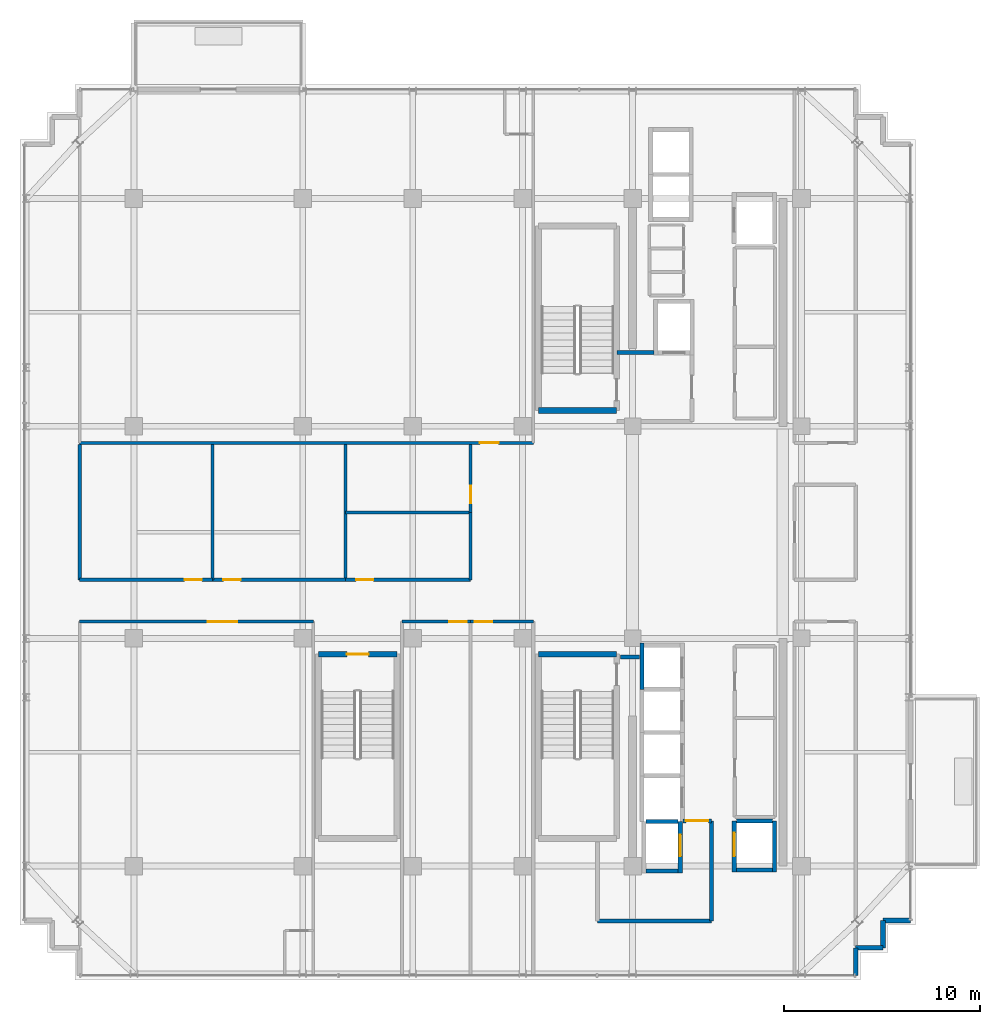
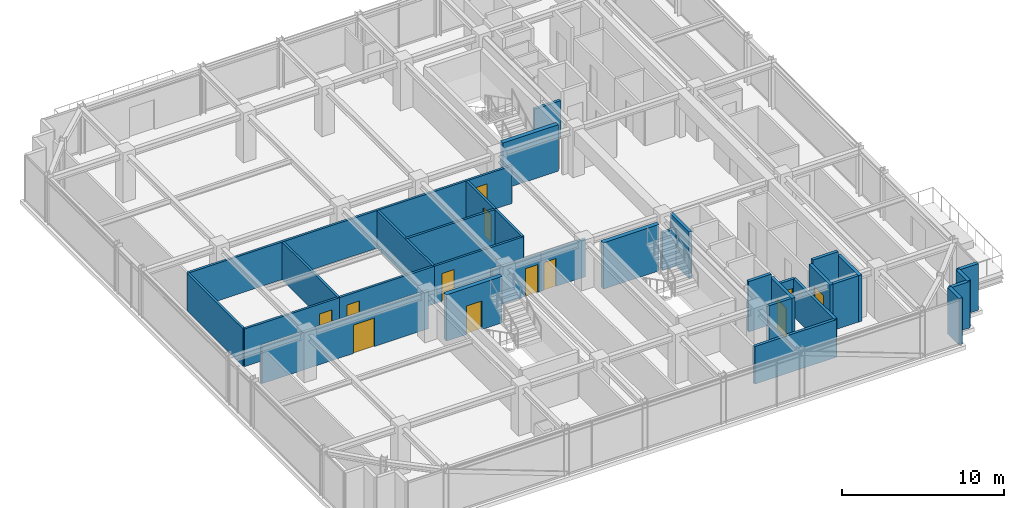
# One storey, part 24 of 31: 33 walls, 12 doors, 12 openings.
"""IFC4 building model written with IfcOpenShell, lengths in metres."""

from ifc_helpers import new_model, si_unit, direction, frame, frame_2d, origin, place, context, subcontext, project, spatial, rectangle, extrude, source, transform, mapped, material, layer, layer_set, type_object, element, fill, save


model = new_model("IFC4")

# Units and contexts
model_context = context("Model", 3, precision=1e-05, world=origin(), true_north=direction((0.0, 1.0)))
body_context = subcontext(model_context, "Body", "Model", "MODEL_VIEW")
ifc_project = project(units=[si_unit("LENGTHUNIT", "METRE"), si_unit("AREAUNIT", "SQUARE_METRE"), si_unit("VOLUMEUNIT", "CUBIC_METRE"), si_unit("PLANEANGLEUNIT", "RADIAN"), si_unit("MASSUNIT", "GRAM", prefix="KILO")], contexts=[model_context])

# Site, building, storey
site_placement = place(None, origin())
site = spatial("IfcSite", under=ifc_project, at=site_placement, CompositionType="ELEMENT")
building_placement = place(site_placement, origin())
building = spatial("IfcBuilding", under=site, at=building_placement, Name="Nahalor Promenade Grand Hotel", CompositionType="ELEMENT")
storey_placement = place(building_placement, frame((0.0, 0.0, 327.14990234375)))
storey = spatial("IfcBuildingStorey", under=building, at=storey_placement, Name="L84", CompositionType="ELEMENT", Elevation=327.14990234375)

# Walls
ifc_material_1 = material(Name="Concrete B-50 (C40/50)", Category="concrete")
ifc_layer_1 = layer(ifc_material_1, 0.300048828125)
ifc_layer_set_1 = layer_set([ifc_layer_1], Name="Concrete B-50 (C40/50)")
wall_type_1 = type_object("IfcWallType", Name="Wall-ShaftShear-300", PredefinedType="SHEAR", material=ifc_layer_set_1)
shared_shape_1 = source(origin(), body_context, "Body", "SweptSolid", [
    extrude(rectangle(XDim=3.97998046875, YDim=0.300048828125, at=frame_2d((1.989990234375, 0.0))), origin(), (0.0, 0.0, 1.0), 3.5),
])
for number, where, z_axis, x_axis, name in (
    (1, (3.610107421875, 6.2099609375, 0.0), (0.0, 0.0, 1.0), (1.0, 0.0, 0.0), "L84 Exit Stair ST1 Shaft Wall S"),
    (2, (3.610107421875, -6.2099609375, 0.0), (0.0, 0.0, 1.0), (1.0, 0.0, 0.0), "L84 Exit Stair ST2 Shaft Wall N"),
):
    element("IfcWall", number, at=place(storey_placement, frame(where, z_axis=z_axis, x_axis=x_axis)), inside=storey, type_object=wall_type_1, Name=name, PredefinedType="SHEAR", context=body_context, shape_type="MappedRepresentation", body=[
        mapped(shared_shape_1, transform((0.0, 0.0, 0.0), scale=1.0)),
    ])

# Wall, opening, door
wall_1_placement = place(storey_placement, frame((-7.590087890625, -6.2099609375, 0.0), z_axis=(0.0, 0.0, 1.0), x_axis=(1.0, 0.0, 0.0)))
wall_1 = element("IfcWall", 3, at=wall_1_placement, inside=storey, type_object=wall_type_1, Name="L84 Exit Stair ST3 Shaft Wall N", PredefinedType="SHEAR", context=body_context, shape_type="MappedRepresentation", body=[
    mapped(shared_shape_1, transform((0.0, 0.0, 0.0), scale=1.0)),
])
opening_1_placement = place(wall_1_placement, frame((1.43994140625, 0.0, 0.0)))
opening_1 = element("IfcOpeningElement", 4, at=opening_1_placement, cuts=wall_1, Name="Opening D-ST1", PredefinedType="OPENING", context=body_context, shape_type="SweptSolid", body=[
    extrude(rectangle(XDim=1.10009765625, YDim=2.14990234375, at=frame_2d((0.550048828125, 1.074951171875))), frame((0.0, 0.159912109375, 0.0), z_axis=(0.0, -1.0, 0.0), x_axis=(1.0, 0.0, 0.0)), (0.0, 0.0, 1.0), 0.320068359375),
])
ifc_material_2 = material(Name="Steel S355JR", Category="steel")
door_type_1 = type_object("IfcDoorType", Name="Door-StairFire-1100", OperationType="NOTDEFINED", PredefinedType="DOOR", material=ifc_material_2)
shared_shape_2 = source(origin(), body_context, "Body", "SweptSolid", [
    extrude(rectangle(XDim=1.10009765625, YDim=2.14990234375, at=frame_2d((0.550048828125, 1.074951171875))), frame((0.0, 0.02490234375, 0.0), z_axis=(0.0, -1.0, 0.0), x_axis=(1.0, 0.0, 0.0)), (0.0, 0.0, 1.0), 0.050048828125),
])
door_1_placement = place(opening_1_placement, frame((1.10009765625, 0.0, 0.0), z_axis=(0.0, 0.0, 1.0), x_axis=(-1.0, 0.0, 0.0)))
door_1 = element("IfcDoor", 5, at=door_1_placement, inside=storey, type_object=door_type_1, Name="DR-STAIR-ST3-L84", OperationType="SINGLE_SWING_LEFT", OverallHeight=2.14990234375, OverallWidth=1.10009765625, PredefinedType="DOOR", context=body_context, shape_type="MappedRepresentation", body=[
    mapped(shared_shape_2, transform((0.0, 0.0, 0.0), scale=1.0)),
])
fill(opening_1, door_1)

# Walls
ifc_layer_2 = layer(ifc_material_1, 0.219970703125)
ifc_layer_set_2 = layer_set([ifc_layer_2], Name="Concrete B-50 (C40/50)")
wall_type_2 = type_object("IfcWallType", Name="Wall-LiftShaft-220", PredefinedType="SHEAR", material=ifc_layer_set_2)
shared_shape_3 = source(origin(), body_context, "Body", "SweptSolid", [
    extrude(rectangle(XDim=2.360107421875, YDim=0.219970703125, at=frame_2d((1.18017578125, 0.0))), origin(), (0.0, 0.0, 1.0), 3.5),
])
wall_2_placement = place(storey_placement, frame((8.8798828125, -8.0, 0.0), z_axis=(0.0, 0.0, 1.0), x_axis=(0.0, 1.0, 0.0)))
element("IfcWall", 6, at=wall_2_placement, inside=storey, type_object=wall_type_2, Name="L84 Lift PL9 Hoistway Wall W", PredefinedType="SHEAR", context=body_context, shape_type="MappedRepresentation", body=[
    mapped(shared_shape_3, transform((0.0, 0.0, 0.0), scale=1.0)),
])
shared_shape_4 = source(origin(), body_context, "Body", "SweptSolid", [
    extrude(rectangle(XDim=1.820068359375, YDim=0.219970703125, at=frame_2d((0.91015625, 0.0))), origin(), (0.0, 0.0, 1.0), 3.5),
])
wall_3_placement = place(storey_placement, frame((13.68994140625, -17.199951171875, 0.0), z_axis=(0.0, 0.0, 1.0), x_axis=(1.0, 0.0, 0.0)))
element("IfcWall", 7, at=wall_3_placement, inside=storey, type_object=wall_type_2, Name="L84 Lift SV2 Hoistway Wall S", PredefinedType="SHEAR", context=body_context, shape_type="MappedRepresentation", body=[
    mapped(shared_shape_4, transform((0.0, 0.0, 0.0), scale=1.0)),
])
shared_shape_5 = source(origin(), body_context, "Body", "SweptSolid", [
    extrude(rectangle(XDim=1.820068359375, YDim=0.219970703125, at=frame_2d((0.91015625, 0.0))), origin(), (0.0, 0.0, 1.0), 3.800048828125),
])
wall_4_placement = place(storey_placement, frame((13.68994140625, -14.699951171875, 0.0), z_axis=(0.0, 0.0, 1.0), x_axis=(1.0, 0.0, 0.0)))
element("IfcWall", 8, at=wall_4_placement, inside=storey, type_object=wall_type_2, Name="L84 Lift SV2 Hoistway Wall N", PredefinedType="SHEAR", context=body_context, shape_type="MappedRepresentation", body=[
    mapped(shared_shape_5, transform((0.0, 0.0, 0.0), scale=1.0)),
])

# Wall, opening, door
shared_shape_6 = source(origin(), body_context, "Body", "SweptSolid", [
    extrude(rectangle(XDim=2.635009765625, YDim=0.219970703125, at=frame_2d((1.3173828125, 0.0))), origin(), (0.0, 0.0, 1.0), 3.5),
])
wall_5_placement = place(storey_placement, frame((10.820068359375, -17.360107421875, 0.0), z_axis=(0.0, 0.0, 1.0), x_axis=(0.0, 1.0, 0.0)))
wall_5 = element("IfcWall", 9, at=wall_5_placement, inside=storey, type_object=wall_type_2, Name="L84 Lift FL2 Hoistway Wall E", PredefinedType="SHEAR", context=body_context, shape_type="MappedRepresentation", body=[
    mapped(shared_shape_6, transform((0.0, 0.0, 0.0), scale=1.0)),
])
opening_2_placement = place(wall_5_placement, frame((0.860107421875, 0.0, 0.0)))
opening_2 = element("IfcOpeningElement", 10, at=opening_2_placement, cuts=wall_5, Name="Opening LD-02", PredefinedType="OPENING", context=body_context, shape_type="SweptSolid", body=[
    extrude(rectangle(XDim=1.10009765625, YDim=2.199951171875, at=frame_2d((0.550048828125, 1.10009765625))), frame((0.0, 0.119873046875, 0.0), z_axis=(0.0, -1.0, 0.0), x_axis=(1.0, 0.0, 0.0)), (0.0, 0.0, 1.0), 0.239990234375),
])
door_type_2 = type_object("IfcDoorType", Name="Door-LiftFF-1100", OperationType="DOUBLE_DOOR_SLIDING", PredefinedType="DOOR", material=ifc_material_2)
shared_shape_7 = source(origin(), body_context, "Body", "SweptSolid", [
    extrude(rectangle(XDim=1.10009765625, YDim=2.199951171875, at=frame_2d((0.550048828125, 1.10009765625))), frame((0.0, 0.02490234375, 0.0), z_axis=(0.0, -1.0, 0.0), x_axis=(1.0, 0.0, 0.0)), (0.0, 0.0, 1.0), 0.050048828125),
])
door_2_placement = place(opening_2_placement, frame((1.10009765625, 0.0, 0.0), z_axis=(0.0, 0.0, 1.0), x_axis=(-1.0, 0.0, 0.0)))
door_2 = element("IfcDoor", 11, at=door_2_placement, inside=storey, type_object=door_type_2, Name="DR-LIFT-FL2-L84", OperationType="DOUBLE_DOOR_SLIDING", OverallHeight=2.199951171875, OverallWidth=1.10009765625, PredefinedType="DOOR", context=body_context, shape_type="MappedRepresentation", body=[
    mapped(shared_shape_7, transform((0.0, 0.0, 0.0), scale=1.0)),
])
fill(opening_2, door_2)

# Walls
shared_shape_8 = source(origin(), body_context, "Body", "SweptSolid", [
    extrude(rectangle(XDim=1.619873046875, YDim=0.219970703125, at=frame_2d((0.81005859375, 0.0))), origin(), (0.0, 0.0, 1.0), 3.5),
])
wall_6_placement = place(storey_placement, frame((9.090087890625, -17.25, 0.0), z_axis=(0.0, 0.0, 1.0), x_axis=(1.0, 0.0, 0.0)))
element("IfcWall", 12, at=wall_6_placement, inside=storey, type_object=wall_type_2, Name="L84 Lift FL2 Hoistway Wall S", PredefinedType="SHEAR", context=body_context, shape_type="MappedRepresentation", body=[
    mapped(shared_shape_8, transform((0.0, 0.0, 0.0), scale=1.0)),
])
shared_shape_9 = source(origin(), body_context, "Body", "SweptSolid", [
    extrude(rectangle(XDim=1.619873046875, YDim=0.219970703125, at=frame_2d((0.81005859375, 0.0))), origin(), (0.0, 0.0, 1.0), 3.800048828125),
])
wall_7_placement = place(storey_placement, frame((9.090087890625, -14.72509765625, 0.0), z_axis=(0.0, 0.0, 1.0), x_axis=(1.0, 0.0, 0.0)))
element("IfcWall", 13, at=wall_7_placement, inside=storey, type_object=wall_type_2, Name="L84 Lift FL2 Hoistway Wall N", PredefinedType="SHEAR", context=body_context, shape_type="MappedRepresentation", body=[
    mapped(shared_shape_9, transform((0.0, 0.0, 0.0), scale=1.0)),
])

# Wall, opening, door
shared_shape_10 = source(origin(), body_context, "Body", "SweptSolid", [
    extrude(rectangle(XDim=2.610107421875, YDim=0.219970703125, at=frame_2d((1.30517578125, 0.0))), origin(), (0.0, 0.0, 1.0), 3.5),
])
wall_8_placement = place(storey_placement, frame((13.580078125, -17.31005859375, 0.0), z_axis=(0.0, 0.0, 1.0), x_axis=(0.0, 1.0, 0.0)))
wall_8 = element("IfcWall", 14, at=wall_8_placement, inside=storey, type_object=wall_type_2, Name="L84 Lift SV2 Hoistway Wall W", PredefinedType="SHEAR", context=body_context, shape_type="MappedRepresentation", body=[
    mapped(shared_shape_10, transform((0.0, 0.0, 0.0), scale=1.0)),
])
opening_3_placement = place(wall_8_placement, frame((0.81005859375, 0.0, 0.0)))
opening_3 = element("IfcOpeningElement", 15, at=opening_3_placement, cuts=wall_8, Name="Opening LD-03", PredefinedType="OPENING", context=body_context, shape_type="SweptSolid", body=[
    extrude(rectangle(XDim=1.199951171875, YDim=2.199951171875, at=frame_2d((0.60009765625, 1.10009765625))), frame((0.0, 0.119873046875, 0.0), z_axis=(0.0, -1.0, 0.0), x_axis=(1.0, 0.0, 0.0)), (0.0, 0.0, 1.0), 0.239990234375),
])
door_type_3 = type_object("IfcDoorType", Name="Door-LiftService-1200", OperationType="DOUBLE_DOOR_SLIDING", PredefinedType="DOOR", material=ifc_material_2)
shared_shape_11 = source(origin(), body_context, "Body", "SweptSolid", [
    extrude(rectangle(XDim=1.199951171875, YDim=2.199951171875, at=frame_2d((0.60009765625, 1.10009765625))), frame((0.0, 0.02490234375, 0.0), z_axis=(0.0, -1.0, 0.0), x_axis=(1.0, 0.0, 0.0)), (0.0, 0.0, 1.0), 0.050048828125),
])
door_3_placement = place(opening_3_placement, origin())
door_3 = element("IfcDoor", 16, at=door_3_placement, inside=storey, type_object=door_type_3, Name="DR-LIFT-SV2-L84", OperationType="DOUBLE_DOOR_SLIDING", OverallHeight=2.199951171875, OverallWidth=1.199951171875, PredefinedType="DOOR", context=body_context, shape_type="MappedRepresentation", body=[
    mapped(shared_shape_11, transform((0.0, 0.0, 0.0), scale=1.0)),
])
fill(opening_3, door_3)

# Walls
wall_9_placement = place(storey_placement, frame((15.6201171875, -17.31005859375, 0.0), z_axis=(0.0, 0.0, 1.0), x_axis=(0.0, 1.0, 0.0)))
element("IfcWall", 17, at=wall_9_placement, inside=storey, type_object=wall_type_2, Name="L84 Lift SV2 Hoistway Wall E", PredefinedType="SHEAR", context=body_context, shape_type="MappedRepresentation", body=[
    mapped(shared_shape_10, transform((0.0, 0.0, 0.0), scale=1.0)),
])
ifc_material_3 = material(Name="Concrete B-40 (C32/40)", Category="concrete")
ifc_layer_3 = layer(ifc_material_3, 0.25)
ifc_layer_set_3 = layer_set([ifc_layer_3], Name="Concrete B-40 (C32/40)")
wall_type_3 = type_object("IfcWallType", Name="Wall-BronzePier-250", PredefinedType="STANDARD", material=ifc_layer_set_3)
shared_shape_12 = source(origin(), body_context, "Body", "SweptSolid", [
    extrude(rectangle(XDim=1.400146484375, YDim=0.25, at=frame_2d((0.7001953125, 0.0))), origin(), (0.0, 0.0, 1.0), 3.5),
])
for number, where, z_axis, x_axis, name in (
    (18, (19.760009765625, -22.56005859375, 0.0), (0.0, 0.0, 1.0), (0.0, 1.0, 0.0), "W-L84-SR-01"),
    (19, (21.159912109375, -19.760009765625, 0.0), (0.0, 0.0, 1.0), (1.0, 0.0, 0.0), "W-L84-SR-04"),
):
    element("IfcWall", number, at=place(storey_placement, frame(where, z_axis=z_axis, x_axis=x_axis)), inside=storey, type_object=wall_type_3, Name=name, PredefinedType="STANDARD", context=body_context, shape_type="MappedRepresentation", body=[
        mapped(shared_shape_12, transform((0.0, 0.0, 0.0), scale=1.0)),
    ])
shared_shape_13 = source(origin(), body_context, "Body", "SweptSolid", [
    extrude(rectangle(XDim=1.39990234375, YDim=0.25, at=frame_2d((0.699951171875, 0.0))), origin(), (0.0, 0.0, 1.0), 3.5),
])
for number, where, z_axis, x_axis, name in (
    (20, (19.760009765625, -21.159912109375, 0.0), (0.0, 0.0, 1.0), (1.0, 0.0, 0.0), "W-L84-SR-02"),
    (21, (21.159912109375, -21.159912109375, 0.0), (0.0, 0.0, 1.0), (0.0, 1.0, 0.0), "W-L84-SR-03"),
):
    element("IfcWall", number, at=place(storey_placement, frame(where, z_axis=z_axis, x_axis=x_axis)), inside=storey, type_object=wall_type_3, Name=name, PredefinedType="STANDARD", context=body_context, shape_type="MappedRepresentation", body=[
        mapped(shared_shape_13, transform((0.0, 0.0, 0.0), scale=1.0)),
    ])
ifc_layer_4 = layer(ifc_material_3, 0.199951171875)
ifc_layer_set_4 = layer_set([ifc_layer_4], Name="Concrete B-40 (C32/40)")
wall_type_4 = type_object("IfcWallType", Name="Wall-PartFire-200", PredefinedType="PARTITIONING", material=ifc_layer_set_4)
shared_shape_14 = source(origin(), body_context, "Body", "SweptSolid", [
    extrude(rectangle(XDim=1.89990234375, YDim=0.199951171875, at=frame_2d((0.949951171875, 0.0))), origin(), (0.0, 0.0, 1.0), 2.840087890625),
])
wall_10_placement = place(storey_placement, frame((7.60009765625, 9.14990234375, 0.0), z_axis=(0.0, 0.0, 1.0), x_axis=(1.0, 0.0, 0.0)))
element("IfcWall", 22, at=wall_10_placement, inside=storey, type_object=wall_type_4, Name="W-L84-FF1-N", PredefinedType="PARTITIONING", context=body_context, shape_type="MappedRepresentation", body=[
    mapped(shared_shape_14, transform((0.0, 0.0, 0.0), scale=1.0)),
])
shared_shape_15 = source(origin(), body_context, "Body", "SweptSolid", [
    extrude(rectangle(XDim=5.81982421875, YDim=0.199951171875, at=frame_2d((2.909912109375, 0.0))), origin(), (0.0, 0.0, 1.0), 2.840087890625),
])
wall_11_placement = place(storey_placement, frame((6.60009765625, -19.800048828125, 0.0), z_axis=(0.0, 0.0, 1.0), x_axis=(1.0, 0.0, 0.0)))
element("IfcWall", 23, at=wall_11_placement, inside=storey, type_object=wall_type_4, Name="W-L84-FF2-S1", PredefinedType="PARTITIONING", context=body_context, shape_type="MappedRepresentation", body=[
    mapped(shared_shape_15, transform((0.0, 0.0, 0.0), scale=1.0)),
])
shared_shape_16 = source(origin(), body_context, "Body", "SweptSolid", [
    extrude(rectangle(XDim=5.10009765625, YDim=0.199951171875, at=frame_2d((2.550048828125, 0.0))), origin(), (0.0, 0.0, 1.0), 2.840087890625),
])
wall_12_placement = place(storey_placement, frame((12.419921875, -19.800048828125, 0.0), z_axis=(0.0, 0.0, 1.0), x_axis=(0.0, 1.0, 0.0)))
element("IfcWall", 24, at=wall_12_placement, inside=storey, type_object=wall_type_4, Name="W-L84-FF2-E", PredefinedType="PARTITIONING", context=body_context, shape_type="MappedRepresentation", body=[
    mapped(shared_shape_16, transform((0.0, 0.0, 0.0), scale=1.0)),
])

# Wall, opening, door
shared_shape_17 = source(origin(), body_context, "Body", "SweptSolid", [
    extrude(rectangle(XDim=1.4599609375, YDim=0.199951171875, at=frame_2d((0.72998046875, 0.0))), origin(), (0.0, 0.0, 1.0), 2.840087890625),
])
wall_13_placement = place(storey_placement, frame((10.9599609375, -14.699951171875, 0.0), z_axis=(0.0, 0.0, 1.0), x_axis=(1.0, 0.0, 0.0)))
wall_13 = element("IfcWall", 25, at=wall_13_placement, inside=storey, type_object=wall_type_4, Name="W-L84-FF2-N1", PredefinedType="PARTITIONING", context=body_context, shape_type="MappedRepresentation", body=[
    mapped(shared_shape_17, transform((0.0, 0.0, 0.0), scale=1.0)),
])
opening_4_placement = place(wall_13_placement, frame((0.14501953125, 0.0, 0.0)))
opening_4 = element("IfcOpeningElement", 26, at=opening_4_placement, cuts=wall_13, Name="Opening D-FF1", PredefinedType="OPENING", context=body_context, shape_type="SweptSolid", body=[
    extrude(rectangle(XDim=1.14990234375, YDim=2.14990234375, at=frame_2d((0.574951171875, 1.074951171875))), frame((0.0, 0.10986328125, 0.0), z_axis=(0.0, -1.0, 0.0), x_axis=(1.0, 0.0, 0.0)), (0.0, 0.0, 1.0), 0.219970703125),
])
door_type_4 = type_object("IfcDoorType", Name="Door-FFLobby-1150", OperationType="NOTDEFINED", PredefinedType="DOOR", material=ifc_material_2)
shared_shape_18 = source(origin(), body_context, "Body", "SweptSolid", [
    extrude(rectangle(XDim=1.14990234375, YDim=2.14990234375, at=frame_2d((0.574951171875, 1.074951171875))), frame((0.0, 0.02490234375, 0.0), z_axis=(0.0, -1.0, 0.0), x_axis=(1.0, 0.0, 0.0)), (0.0, 0.0, 1.0), 0.050048828125),
])
door_4_placement = place(opening_4_placement, origin())
door_4 = element("IfcDoor", 27, at=door_4_placement, inside=storey, type_object=door_type_4, Name="DR-L84-FFL2", OperationType="SINGLE_SWING_RIGHT", OverallHeight=2.14990234375, OverallWidth=1.14990234375, PredefinedType="DOOR", context=body_context, shape_type="MappedRepresentation", body=[
    mapped(shared_shape_18, transform((0.0, 0.0, 0.0), scale=1.0)),
])
fill(opening_4, door_4)

# Wall
shared_shape_19 = source(origin(), body_context, "Body", "SweptSolid", [
    extrude(rectangle(XDim=0.969970703125, YDim=0.199951171875, at=frame_2d((0.48486328125, 0.0))), origin(), (0.0, 0.0, 1.0), 2.840087890625),
])
wall_14_placement = place(storey_placement, frame((7.77001953125, -6.35009765625, 0.0), z_axis=(0.0, 0.0, 1.0), x_axis=(1.0, 0.0, 0.0)))
element("IfcWall", 28, at=wall_14_placement, inside=storey, type_object=wall_type_4, Name="W-L84-FF2-N2", PredefinedType="PARTITIONING", context=body_context, shape_type="MappedRepresentation", body=[
    mapped(shared_shape_19, transform((0.0, 0.0, 0.0), scale=1.0)),
])

# Wall, opening, door
ifc_material_4 = material(Name="Acoustic Mineral Gypsum", Category="gypsum")
ifc_layer_5 = layer(ifc_material_4, 0.159912109375)
ifc_layer_set_5 = layer_set([ifc_layer_5], Name="Acoustic Mineral Gypsum")
wall_type_5 = type_object("IfcWallType", Name="Wall-PartCorridor-160", PredefinedType="PARTITIONING", material=ifc_layer_set_5)
shared_shape_20 = source(origin(), body_context, "Body", "SweptSolid", [
    extrude(rectangle(XDim=23.10009765625, YDim=0.159912109375, at=frame_2d((11.550048828125, 0.0))), origin(), (0.0, 0.0, 1.0), 2.840087890625),
])
wall_15_placement = place(storey_placement, frame((-19.760009765625, 4.550048828125, 0.0), z_axis=(0.0, 0.0, 1.0), x_axis=(1.0, 0.0, 0.0)))
wall_15 = element("IfcWall", 29, at=wall_15_placement, inside=storey, type_object=wall_type_5, Name="W-L84-CORR-N", PredefinedType="PARTITIONING", context=body_context, shape_type="MappedRepresentation", body=[
    mapped(shared_shape_20, transform((0.0, 0.0, 0.0), scale=1.0)),
])
opening_5_placement = place(wall_15_placement, frame((20.385009765625, 0.0, 0.0)))
opening_5 = element("IfcOpeningElement", 30, at=opening_5_placement, cuts=wall_15, Name="Opening D-01", PredefinedType="OPENING", context=body_context, shape_type="SweptSolid", body=[
    extrude(rectangle(XDim=0.949951171875, YDim=2.10009765625, at=frame_2d((0.47509765625, 1.050048828125))), frame((0.0, 0.08984375, 0.0), z_axis=(0.0, -1.0, 0.0), x_axis=(1.0, 0.0, 0.0)), (0.0, 0.0, 1.0), 0.179931640625),
])
ifc_material_5 = material(Name="Fire-Rated Timber Composite", Category="wood")
door_type_5 = type_object("IfcDoorType", Name="Door-GuestEntry-950", OperationType="NOTDEFINED", PredefinedType="DOOR", material=ifc_material_5)
shared_shape_21 = source(origin(), body_context, "Body", "SweptSolid", [
    extrude(rectangle(XDim=0.949951171875, YDim=2.10009765625, at=frame_2d((0.47509765625, 1.050048828125))), frame((0.0, 0.02490234375, 0.0), z_axis=(0.0, -1.0, 0.0), x_axis=(1.0, 0.0, 0.0)), (0.0, 0.0, 1.0), 0.050048828125),
])
door_5_placement = place(opening_5_placement, origin())
door_5 = element("IfcDoor", 31, at=door_5_placement, inside=storey, type_object=door_type_5, Name="DR-L84-N1-ENT", OperationType="SINGLE_SWING_LEFT", OverallHeight=2.10009765625, OverallWidth=0.949951171875, PredefinedType="DOOR", context=body_context, shape_type="MappedRepresentation", body=[
    mapped(shared_shape_21, transform((0.0, 0.0, 0.0), scale=1.0)),
])
fill(opening_5, door_5)

shared_shape_22 = source(origin(), body_context, "Body", "SweptSolid", [
    extrude(rectangle(XDim=11.89990234375, YDim=0.159912109375, at=frame_2d((5.949951171875, 0.0))), origin(), (0.0, 0.0, 1.0), 2.840087890625),
])
wall_16_placement = place(storey_placement, frame((-19.760009765625, -4.550048828125, 0.0), z_axis=(0.0, 0.0, 1.0), x_axis=(1.0, 0.0, 0.0)))
wall_16 = element("IfcWall", 32, at=wall_16_placement, inside=storey, type_object=wall_type_5, Name="W-L84-CORR-S", PredefinedType="PARTITIONING", context=body_context, shape_type="MappedRepresentation", body=[
    mapped(shared_shape_22, transform((0.0, 0.0, 0.0), scale=1.0)),
])
opening_6_placement = place(wall_16_placement, frame((6.52294921875, 0.0, 0.0)))
opening_6 = element("IfcOpeningElement", 33, at=opening_6_placement, cuts=wall_16, Name="Opening D-02", PredefinedType="OPENING", context=body_context, shape_type="SweptSolid", body=[
    extrude(rectangle(XDim=1.5, YDim=2.14990234375, at=frame_2d((0.75, 1.074951171875))), frame((0.0, 0.08984375, 0.0), z_axis=(0.0, -1.0, 0.0), x_axis=(1.0, 0.0, 0.0)), (0.0, 0.0, 1.0), 0.179931640625),
])
door_type_6 = type_object("IfcDoorType", Name="Door-SuiteDouble-1500", OperationType="DOUBLE_DOOR_SINGLE_SWING", PredefinedType="DOOR", material=ifc_material_5)
shared_shape_23 = source(origin(), body_context, "Body", "SweptSolid", [
    extrude(rectangle(XDim=1.5, YDim=2.14990234375, at=frame_2d((0.75, 1.074951171875))), frame((0.0, 0.02490234375, 0.0), z_axis=(0.0, -1.0, 0.0), x_axis=(1.0, 0.0, 0.0)), (0.0, 0.0, 1.0), 0.050048828125),
])
door_6_placement = place(opening_6_placement, frame((1.5, 0.0, 0.0), z_axis=(0.0, 0.0, 1.0), x_axis=(-1.0, 0.0, 0.0)))
door_6 = element("IfcDoor", 34, at=door_6_placement, inside=storey, type_object=door_type_6, Name="DR-L84-S1-ENT", OperationType="DOUBLE_DOOR_SINGLE_SWING", OverallHeight=2.14990234375, OverallWidth=1.5, PredefinedType="DOOR", context=body_context, shape_type="MappedRepresentation", body=[
    mapped(shared_shape_23, transform((0.0, 0.0, 0.0), scale=1.0)),
])
fill(opening_6, door_6)

shared_shape_24 = source(origin(), body_context, "Body", "SweptSolid", [
    extrude(rectangle(XDim=3.489990234375, YDim=0.159912109375, at=frame_2d((1.7451171875, 0.0))), origin(), (0.0, 0.0, 1.0), 2.840087890625),
])
wall_17_placement = place(storey_placement, frame((-3.340087890625, -4.550048828125, 0.0), z_axis=(0.0, 0.0, 1.0), x_axis=(1.0, 0.0, 0.0)))
wall_17 = element("IfcWall", 35, at=wall_17_placement, inside=storey, type_object=wall_type_5, Name="W-L84-SCB1-N", PredefinedType="PARTITIONING", context=body_context, shape_type="MappedRepresentation", body=[
    mapped(shared_shape_24, transform((0.0, 0.0, 0.0), scale=1.0)),
])
opening_7_placement = place(wall_17_placement, frame((2.39990234375, 0.0, 0.0)))
opening_7 = element("IfcOpeningElement", 36, at=opening_7_placement, cuts=wall_17, Name="Opening D-03", PredefinedType="OPENING", context=body_context, shape_type="SweptSolid", body=[
    extrude(rectangle(XDim=0.8798828125, YDim=2.10009765625, at=frame_2d((0.43994140625, 1.050048828125))), frame((0.0, 0.08984375, 0.0), z_axis=(0.0, -1.0, 0.0), x_axis=(1.0, 0.0, 0.0)), (0.0, 0.0, 1.0), 0.179931640625),
])
door_type_7 = type_object("IfcDoorType", Name="Door-BathSwing-880", OperationType="NOTDEFINED", PredefinedType="DOOR", material=ifc_material_5)
shared_shape_25 = source(origin(), body_context, "Body", "SweptSolid", [
    extrude(rectangle(XDim=0.8798828125, YDim=2.10009765625, at=frame_2d((0.43994140625, 1.050048828125))), frame((0.0, 0.02490234375, 0.0), z_axis=(0.0, -1.0, 0.0), x_axis=(1.0, 0.0, 0.0)), (0.0, 0.0, 1.0), 0.050048828125),
])
door_7_placement = place(opening_7_placement, frame((0.8798828125, 0.0, 0.0), z_axis=(0.0, 0.0, 1.0), x_axis=(-1.0, 0.0, 0.0)))
door_7 = element("IfcDoor", 37, at=door_7_placement, inside=storey, type_object=door_type_7, Name="DR-L84-SCB1", OperationType="SINGLE_SWING_LEFT", OverallHeight=2.10009765625, OverallWidth=0.8798828125, PredefinedType="DOOR", context=body_context, shape_type="MappedRepresentation", body=[
    mapped(shared_shape_25, transform((0.0, 0.0, 0.0), scale=1.0)),
])
fill(opening_7, door_7)

shared_shape_26 = source(origin(), body_context, "Body", "SweptSolid", [
    extrude(rectangle(XDim=3.190185546875, YDim=0.159912109375, at=frame_2d((1.59521484375, 0.0))), origin(), (0.0, 0.0, 1.0), 2.840087890625),
])
wall_18_placement = place(storey_placement, frame((0.14990234375, -4.550048828125, 0.0), z_axis=(0.0, 0.0, 1.0), x_axis=(1.0, 0.0, 0.0)))
wall_18 = element("IfcWall", 38, at=wall_18_placement, inside=storey, type_object=wall_type_5, Name="W-L84-SCB2-N", PredefinedType="PARTITIONING", context=body_context, shape_type="MappedRepresentation", body=[
    mapped(shared_shape_26, transform((0.0, 0.0, 0.0), scale=1.0)),
])
opening_8_placement = place(wall_18_placement, frame((0.2099609375, 0.0, 0.0)))
opening_8 = element("IfcOpeningElement", 39, at=opening_8_placement, cuts=wall_18, Name="Opening D-03", PredefinedType="OPENING", context=body_context, shape_type="SweptSolid", body=[
    extrude(rectangle(XDim=0.8798828125, YDim=2.10009765625, at=frame_2d((0.43994140625, 1.050048828125))), frame((0.0, 0.08984375, 0.0), z_axis=(0.0, -1.0, 0.0), x_axis=(1.0, 0.0, 0.0)), (0.0, 0.0, 1.0), 0.179931640625),
])
door_8_placement = place(opening_8_placement, frame((0.8798828125, 0.0, 0.0), z_axis=(0.0, 0.0, 1.0), x_axis=(-1.0, 0.0, 0.0)))
door_8 = element("IfcDoor", 40, at=door_8_placement, inside=storey, type_object=door_type_7, Name="DR-L84-SCB2", OperationType="SINGLE_SWING_RIGHT", OverallHeight=2.10009765625, OverallWidth=0.8798828125, PredefinedType="DOOR", context=body_context, shape_type="MappedRepresentation", body=[
    mapped(shared_shape_25, transform((0.0, 0.0, 0.0), scale=1.0)),
])
fill(opening_8, door_8)

# Walls
shared_shape_27 = source(origin(), body_context, "Body", "SweptSolid", [
    extrude(rectangle(XDim=6.889892578125, YDim=0.159912109375, at=frame_2d((3.44482421875, 0.0))), origin(), (0.0, 0.0, 1.0), 2.840087890625),
])
for number, where, z_axis, x_axis, name in (
    (41, (-19.760009765625, -2.419921875, 0.0), (0.0, 0.0, 1.0), (0.0, 1.0, 0.0), "W-L84-ZW1-W"),
    (42, (-12.990966796875, -2.419921875, 0.0), (0.0, 0.0, 1.0), (0.0, 1.0, 0.0), "W-L84-ZW1-E"),
    (43, (-6.220947265625, -2.419921875, 0.0), (0.0, 0.0, 1.0), (0.0, 1.0, 0.0), "W-L84-ZW2-E"),
):
    element("IfcWall", number, at=place(storey_placement, frame(where, z_axis=z_axis, x_axis=x_axis)), inside=storey, type_object=wall_type_5, Name=name, PredefinedType="PARTITIONING", context=body_context, shape_type="MappedRepresentation", body=[
        mapped(shared_shape_27, transform((0.0, 0.0, 0.0), scale=1.0)),
    ])

# Wall, opening, door
shared_shape_28 = source(origin(), body_context, "Body", "SweptSolid", [
    extrude(rectangle(XDim=6.76904296875, YDim=0.159912109375, at=frame_2d((3.384521484375, 0.0))), origin(), (0.0, 0.0, 1.0), 2.840087890625),
])
wall_19_placement = place(storey_placement, frame((-19.760009765625, -2.419921875, 0.0), z_axis=(0.0, 0.0, 1.0), x_axis=(1.0, 0.0, 0.0)))
wall_19 = element("IfcWall", 44, at=wall_19_placement, inside=storey, type_object=wall_type_5, Name="W-L84-ZW1-S", PredefinedType="PARTITIONING", context=body_context, shape_type="MappedRepresentation", body=[
    mapped(shared_shape_28, transform((0.0, 0.0, 0.0), scale=1.0)),
])
opening_9_placement = place(wall_19_placement, frame((5.340087890625, 0.0, 0.0)))
opening_9 = element("IfcOpeningElement", 45, at=opening_9_placement, cuts=wall_19, Name="Opening D-03", PredefinedType="OPENING", context=body_context, shape_type="SweptSolid", body=[
    extrude(rectangle(XDim=0.8798828125, YDim=2.10009765625, at=frame_2d((0.43994140625, 1.050048828125))), frame((0.0, 0.08984375, 0.0), z_axis=(0.0, -1.0, 0.0), x_axis=(1.0, 0.0, 0.0)), (0.0, 0.0, 1.0), 0.179931640625),
])
door_9_placement = place(opening_9_placement, origin())
door_9 = element("IfcDoor", 46, at=door_9_placement, inside=storey, type_object=door_type_7, Name="DR-L84-ZW1", OperationType="SINGLE_SWING_LEFT", OverallHeight=2.10009765625, OverallWidth=0.8798828125, PredefinedType="DOOR", context=body_context, shape_type="MappedRepresentation", body=[
    mapped(shared_shape_25, transform((0.0, 0.0, 0.0), scale=1.0)),
])
fill(opening_9, door_9)

shared_shape_29 = source(origin(), body_context, "Body", "SweptSolid", [
    extrude(rectangle(XDim=6.77001953125, YDim=0.159912109375, at=frame_2d((3.385009765625, 0.0))), origin(), (0.0, 0.0, 1.0), 2.840087890625),
])
wall_20_placement = place(storey_placement, frame((-12.990966796875, -2.419921875, 0.0), z_axis=(0.0, 0.0, 1.0), x_axis=(1.0, 0.0, 0.0)))
wall_20 = element("IfcWall", 47, at=wall_20_placement, inside=storey, type_object=wall_type_5, Name="W-L84-ZW2-S", PredefinedType="PARTITIONING", context=body_context, shape_type="MappedRepresentation", body=[
    mapped(shared_shape_29, transform((0.0, 0.0, 0.0), scale=1.0)),
])
opening_10_placement = place(wall_20_placement, frame((0.549072265625, 0.0, 0.0)))
opening_10 = element("IfcOpeningElement", 48, at=opening_10_placement, cuts=wall_20, Name="Opening D-03", PredefinedType="OPENING", context=body_context, shape_type="SweptSolid", body=[
    extrude(rectangle(XDim=0.8798828125, YDim=2.10009765625, at=frame_2d((0.43994140625, 1.050048828125))), frame((0.0, 0.08984375, 0.0), z_axis=(0.0, -1.0, 0.0), x_axis=(1.0, 0.0, 0.0)), (0.0, 0.0, 1.0), 0.179931640625),
])
door_10_placement = place(opening_10_placement, origin())
door_10 = element("IfcDoor", 49, at=door_10_placement, inside=storey, type_object=door_type_7, Name="DR-L84-ZW2", OperationType="SINGLE_SWING_RIGHT", OverallHeight=2.10009765625, OverallWidth=0.8798828125, PredefinedType="DOOR", context=body_context, shape_type="MappedRepresentation", body=[
    mapped(shared_shape_25, transform((0.0, 0.0, 0.0), scale=1.0)),
])
fill(opening_10, door_10)

shared_shape_30 = source(origin(), body_context, "Body", "SweptSolid", [
    extrude(rectangle(XDim=6.370849609375, YDim=0.159912109375, at=frame_2d((3.185546875, 0.0))), origin(), (0.0, 0.0, 1.0), 2.840087890625),
])
wall_21_placement = place(storey_placement, frame((-6.220947265625, -2.419921875, 0.0), z_axis=(0.0, 0.0, 1.0), x_axis=(1.0, 0.0, 0.0)))
wall_21 = element("IfcWall", 50, at=wall_21_placement, inside=storey, type_object=wall_type_5, Name="W-L84-ZW3-S", PredefinedType="PARTITIONING", context=body_context, shape_type="MappedRepresentation", body=[
    mapped(shared_shape_30, transform((0.0, 0.0, 0.0), scale=1.0)),
])
opening_11_placement = place(wall_21_placement, frame((0.5400390625, 0.0, 0.0)))
opening_11 = element("IfcOpeningElement", 51, at=opening_11_placement, cuts=wall_21, Name="Opening D-03", PredefinedType="OPENING", context=body_context, shape_type="SweptSolid", body=[
    extrude(rectangle(XDim=0.8798828125, YDim=2.10009765625, at=frame_2d((0.43994140625, 1.050048828125))), frame((0.0, 0.08984375, 0.0), z_axis=(0.0, -1.0, 0.0), x_axis=(1.0, 0.0, 0.0)), (0.0, 0.0, 1.0), 0.179931640625),
])
door_11_placement = place(opening_11_placement, origin())
door_11 = element("IfcDoor", 52, at=door_11_placement, inside=storey, type_object=door_type_7, Name="DR-L84-ZW3", OperationType="SINGLE_SWING_LEFT", OverallHeight=2.10009765625, OverallWidth=0.8798828125, PredefinedType="DOOR", context=body_context, shape_type="MappedRepresentation", body=[
    mapped(shared_shape_25, transform((0.0, 0.0, 0.0), scale=1.0)),
])
fill(opening_11, door_11)

# Walls
wall_22_placement = place(storey_placement, frame((-6.220947265625, 1.0, 0.0), z_axis=(0.0, 0.0, 1.0), x_axis=(1.0, 0.0, 0.0)))
element("IfcWall", 53, at=wall_22_placement, inside=storey, type_object=wall_type_5, Name="W-L84-ZW3-N", PredefinedType="PARTITIONING", context=body_context, shape_type="MappedRepresentation", body=[
    mapped(shared_shape_30, transform((0.0, 0.0, 0.0), scale=1.0)),
])
shared_shape_31 = source(origin(), body_context, "Body", "SweptSolid", [
    extrude(rectangle(XDim=3.419921875, YDim=0.159912109375, at=frame_2d((1.7099609375, 0.0))), origin(), (0.0, 0.0, 1.0), 2.840087890625),
])
wall_23_placement = place(storey_placement, frame((0.14990234375, -2.419921875, 0.0), z_axis=(0.0, 0.0, 1.0), x_axis=(0.0, 1.0, 0.0)))
element("IfcWall", 54, at=wall_23_placement, inside=storey, type_object=wall_type_5, Name="W-L84-ZW3-E", PredefinedType="PARTITIONING", context=body_context, shape_type="MappedRepresentation", body=[
    mapped(shared_shape_31, transform((0.0, 0.0, 0.0), scale=1.0)),
])

# Wall, opening, door
shared_shape_32 = source(origin(), body_context, "Body", "SweptSolid", [
    extrude(rectangle(XDim=3.469970703125, YDim=0.159912109375, at=frame_2d((1.73486328125, 0.0))), origin(), (0.0, 0.0, 1.0), 2.840087890625),
])
wall_24_placement = place(storey_placement, frame((0.14990234375, 1.0, 0.0), z_axis=(0.0, 0.0, 1.0), x_axis=(0.0, 1.0, 0.0)))
wall_24 = element("IfcWall", 55, at=wall_24_placement, inside=storey, type_object=wall_type_5, Name="W-L84-ZW4-E", PredefinedType="PARTITIONING", context=body_context, shape_type="MappedRepresentation", body=[
    mapped(shared_shape_32, transform((0.0, 0.0, 0.0), scale=1.0)),
])
opening_12_placement = place(wall_24_placement, frame((0.48095703125, 0.0, 0.0)))
opening_12 = element("IfcOpeningElement", 56, at=opening_12_placement, cuts=wall_24, Name="Opening D-03", PredefinedType="OPENING", context=body_context, shape_type="SweptSolid", body=[
    extrude(rectangle(XDim=0.8798828125, YDim=2.10009765625, at=frame_2d((0.43994140625, 1.050048828125))), frame((0.0, 0.08984375, 0.0), z_axis=(0.0, -1.0, 0.0), x_axis=(1.0, 0.0, 0.0)), (0.0, 0.0, 1.0), 0.179931640625),
])
door_12_placement = place(opening_12_placement, origin())
door_12 = element("IfcDoor", 57, at=door_12_placement, inside=storey, type_object=door_type_7, Name="DR-L84-ZW4", OperationType="SINGLE_SWING_RIGHT", OverallHeight=2.10009765625, OverallWidth=0.8798828125, PredefinedType="DOOR", context=body_context, shape_type="MappedRepresentation", body=[
    mapped(shared_shape_25, transform((0.0, 0.0, 0.0), scale=1.0)),
])
fill(opening_12, door_12)

save(model, "model.ifc")
